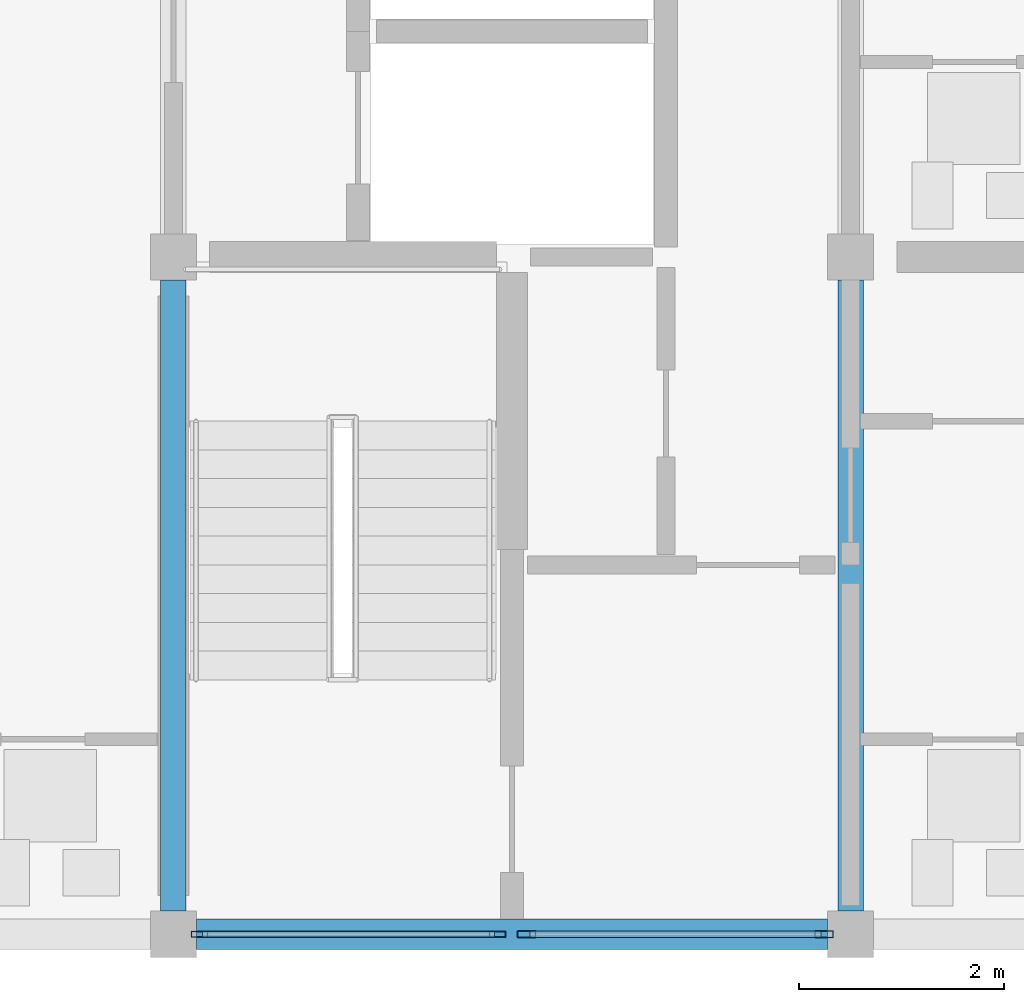
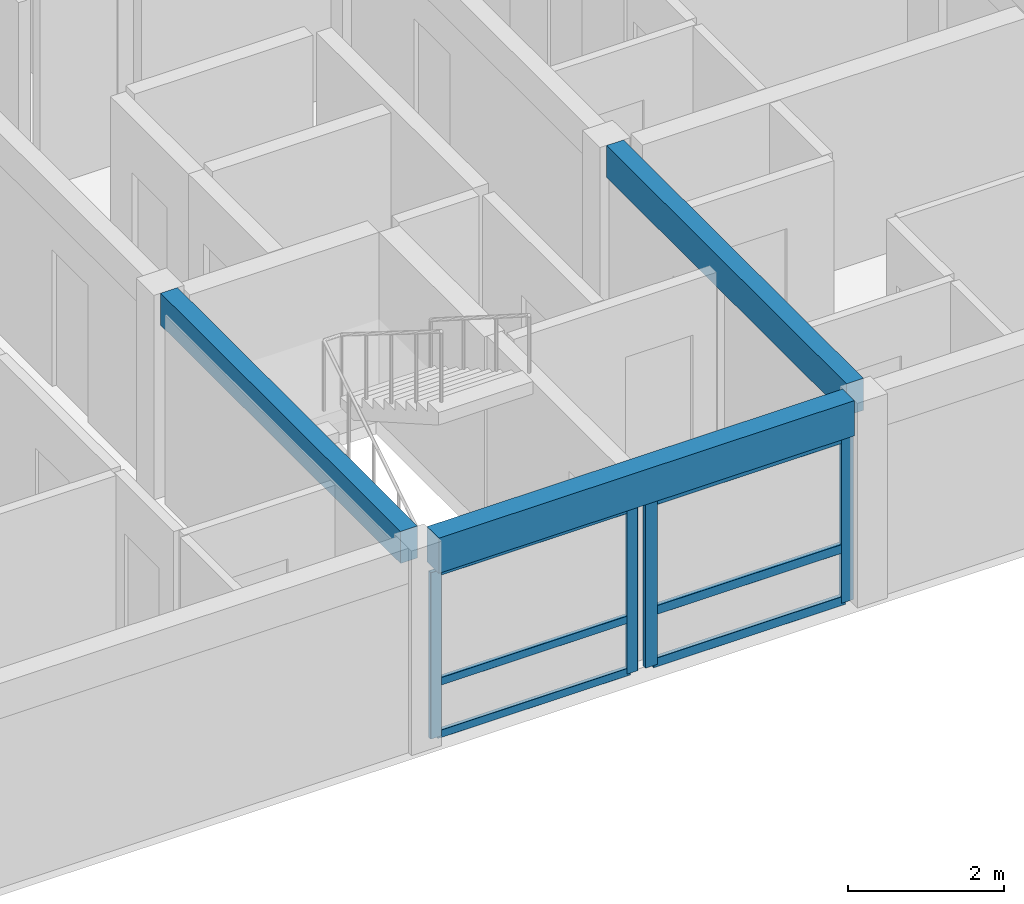
# One storey, part 12 of 45: 10 members, 3 beams, 2 elements without a shape of their own.
"""IFC4 building model written with IfcOpenShell, lengths in metres."""

import ifcopenshell
import ifcopenshell.guid

model = None  # the IFC model being written
_history = None  # IfcOwnerHistory: only IFC2X3 demands one
_inside = {}  # id of a spatial element -> (the spatial element, [elements in it])
_under = {}  # id of a project, library or spatial element -> (it, [spatial elements below it])
_declared = {}  # id of a project -> (the project, [libraries it declares])
_typed = {}  # id of a type object -> (the type object, [elements of that type])
_made_of = {}  # id of a material, layer set ... -> (it, [elements and type objects made of it])


def new_model(schema):
    """Start an empty IFC model of exactly this schema.

    Asked for "IFC4X3", IfcOpenShell would pick the latest addendum, in which some entities
    have other attributes; the version numbers below select the first issue.
    IFC2X3 requires an IfcOwnerHistory on every rooted entity: one is made here for all.
    """
    global model, _history
    if schema == "IFC4X3":
        model = ifcopenshell.file(schema_version=(4, 3, 0, 0))
    else:
        model = ifcopenshell.file(schema=schema)
    _inside.clear()
    _under.clear()
    _declared.clear()
    _typed.clear()
    _made_of.clear()
    _history = None
    if model.schema == "IFC2X3":
        org = make("IfcOrganization", Name="unknown")
        user = make(
            "IfcPersonAndOrganization",
            ThePerson=make("IfcPerson", FamilyName="unknown"),
            TheOrganization=org,
        )
        app = make(
            "IfcApplication",
            ApplicationDeveloper=org,
            Version="unknown",
            ApplicationFullName="unknown",
            ApplicationIdentifier="unknown",
        )
        _history = make(
            "IfcOwnerHistory",
            OwningUser=user,
            OwningApplication=app,
            ChangeAction="ADDED",
            CreationDate=0,
        )
    return model


def make(cls, **values):
    """One entity of the class cls with the attributes given. An attribute that is None is left unset."""
    return model.create_entity(
        cls, **{name: value for name, value in values.items() if value is not None}
    )


def rooted(cls, **values):
    """An entity with a GlobalId (a new one), such as an element, a storey or a relation."""
    return make(cls, GlobalId=ifcopenshell.guid.new(), OwnerHistory=_history, **values)


def si_unit(unit_type, name, prefix=None):
    """IfcSIUnit, for example si_unit("LENGTHUNIT", "METRE", prefix="MILLI")."""
    return make("IfcSIUnit", UnitType=unit_type, Prefix=prefix, Name=name)


def assignment(units):
    """IfcUnitAssignment: the units of a project."""
    return None if units is None else make("IfcUnitAssignment", Units=units)


def point(xyz):
    """IfcCartesianPoint."""
    return None if xyz is None else make("IfcCartesianPoint", Coordinates=xyz)


def direction(xyz):
    """IfcDirection."""
    return None if xyz is None else make("IfcDirection", DirectionRatios=xyz)


def frame(location, z_axis=None, x_axis=None):
    """IfcAxis2Placement3D, a coordinate frame: its origin and axes. An axis left out is left unset."""
    return make(
        "IfcAxis2Placement3D",
        Location=point(location),
        Axis=direction(z_axis),
        RefDirection=direction(x_axis),
    )


def frame_2d(location, x_axis=None):
    """IfcAxis2Placement2D, a coordinate frame in the plane: its origin and x axis."""
    return make(
        "IfcAxis2Placement2D", Location=point(location), RefDirection=direction(x_axis)
    )


def origin():
    """The frame at (0, 0, 0) with its axes left unset."""
    return frame((0.0, 0.0, 0.0))


def origin_2d():
    """The frame at (0, 0) in the plane with its x axis left unset."""
    return frame_2d((0.0, 0.0))


def place(relative_to, where):
    """IfcLocalPlacement: puts the frame where relative to a parent placement (None: the world)."""
    return make(
        "IfcLocalPlacement", PlacementRelTo=relative_to, RelativePlacement=where
    )


def context(
    kind, dimensions, precision=None, world=None, true_north=None, identifier=None
):
    """IfcGeometricRepresentationContext, for example the 3D "Model" context."""
    return make(
        "IfcGeometricRepresentationContext",
        ContextIdentifier=identifier,
        ContextType=kind,
        CoordinateSpaceDimension=dimensions,
        Precision=precision,
        WorldCoordinateSystem=world,
        TrueNorth=true_north,
    )


def subcontext(parent, identifier, kind, view, scale=None):
    """IfcGeometricRepresentationSubContext, for example "Body" below "Model"."""
    return make(
        "IfcGeometricRepresentationSubContext",
        ContextIdentifier=identifier,
        ContextType=kind,
        ParentContext=parent,
        TargetScale=scale,
        TargetView=view,
    )


def project(units=None, contexts=None):
    """IfcProject with its units and contexts."""
    return rooted(
        "IfcProject",
        Name="project",
        RepresentationContexts=contexts,
        UnitsInContext=assignment(units),
    )


def spatial(cls, under=None, at=None, **own):
    """A site, building, storey or space (cls), placed at a placement, below another one or the project."""
    s = rooted(cls, ObjectPlacement=at, **own)
    if under is not None:
        _under.setdefault(under.id(), (under, []))[1].append(s)
    return s


def profile(cls, at=None, kind="AREA", **sizes):
    """A parametric profile (cls). Its sizes go by their IFC names, for example OverallWidth=200.0."""
    return make(cls, ProfileType=kind, Position=at, **sizes)


def rectangle(**sizes):
    """IfcRectangleProfileDef."""
    return profile("IfcRectangleProfileDef", **sizes)


def hollow_rectangle(**sizes):
    """IfcRectangleHollowProfileDef."""
    return profile("IfcRectangleHollowProfileDef", **sizes)


def extrude(swept, where, along, depth):
    """IfcExtrudedAreaSolid: the profile swept, set in the frame where, extruded along a direction by depth."""
    return make(
        "IfcExtrudedAreaSolid",
        SweptArea=swept,
        Position=where,
        ExtrudedDirection=direction(along),
        Depth=depth,
    )


def shape(context_of_items, identifier, shape_type, items):
    """IfcShapeRepresentation: the items that make up one representation, for example the "Body"."""
    return make(
        "IfcShapeRepresentation",
        ContextOfItems=context_of_items,
        RepresentationIdentifier=identifier,
        RepresentationType=shape_type,
        Items=items,
    )


def material(Name=None, Category=None):
    """IfcMaterial."""
    return make("IfcMaterial", Name=Name, Category=Category)


def material_profile(
    of_material, cross_section, Name=None, Category=None, Priority=None
):
    """IfcMaterialProfile: a cross section and its material."""
    return make(
        "IfcMaterialProfile",
        Name=Name,
        Material=of_material,
        Profile=cross_section,
        Priority=Priority,
        Category=Category,
    )


def profile_set(profiles, Name=None, composite=None):
    """IfcMaterialProfileSet."""
    return make(
        "IfcMaterialProfileSet",
        Name=Name,
        MaterialProfiles=profiles,
        CompositeProfile=composite,
    )


def made_of(thing, what):
    """Note that an element or type object is made of a material, layer set ...; save() writes the relation."""
    if what is not None:
        _made_of.setdefault(what.id(), (what, []))[1].append(thing)
    return thing


def type_object(cls, material=None, **own):
    """A type object (cls), such as IfcWallType, which elements share."""
    return made_of(rooted(cls, **own), material)


def element(
    cls,
    number,
    at=None,
    inside=None,
    cuts=None,
    type_object=None,
    material=None,
    context=None,
    identifier="Body",
    shape_type=None,
    held_by="IfcProductDefinitionShape",
    body=None,
    shapes=None,
    **own,
):
    """One element of the class cls, such as IfcWall. Its Tag is "e" and its number.

    at: its placement. inside: the storey or other place that contains it. cuts: it is an
    opening in that element (IfcRelVoidsElement). A single representation is given by context,
    identifier, shape_type and body (its items); several are given by shapes. held_by: the class
    of the entity that holds the representations. save() writes the other relations.
    """
    e = rooted(cls, Tag="e%d" % number, ObjectPlacement=at, **own)
    if body is not None:
        shapes = [shape(context, identifier, shape_type, body)]
    if shapes is not None:
        e.Representation = make(held_by, Representations=shapes)
    if inside is not None:
        _inside.setdefault(inside.id(), (inside, []))[1].append(e)
    if cuts is not None:
        rooted(
            "IfcRelVoidsElement", RelatingBuildingElement=cuts, RelatedOpeningElement=e
        )
    if type_object is not None:
        _typed.setdefault(type_object.id(), (type_object, []))[1].append(e)
    return made_of(e, material)


def aggregate(whole, parts):
    """IfcRelAggregates: a whole, such as a stair, and the parts it consists of."""
    return rooted("IfcRelAggregates", RelatingObject=whole, RelatedObjects=parts)


def save(model, path):
    """Write the relations noted so far, then the file.

    IfcRelAggregates (storeys below a building ...), IfcRelContainedInSpatialStructure (elements
    in a storey), IfcRelDefinesByType, IfcRelAssociatesMaterial and IfcRelDeclares: one each for
    every whole, place, type object, material and project.
    """
    for whole, parts in _under.values():
        aggregate(whole, parts)
    for where, things in _inside.values():
        rooted(
            "IfcRelContainedInSpatialStructure",
            RelatedElements=things,
            RelatingStructure=where,
        )
    for kind, things in _typed.values():
        rooted("IfcRelDefinesByType", RelatedObjects=things, RelatingType=kind)
    for what, things in _made_of.values():
        rooted("IfcRelAssociatesMaterial", RelatedObjects=things, RelatingMaterial=what)
    for by, libraries in _declared.values():
        rooted("IfcRelDeclares", RelatingContext=by, RelatedDefinitions=libraries)
    model.write(path)


model = new_model("IFC4")

# Units and contexts
model_context = context("Model", 3, precision=1e-05, world=origin(), true_north=direction((0.0, 1.0)))
body_context = subcontext(model_context, "Body", "Model", "MODEL_VIEW")
ifc_project = project(units=[si_unit("LENGTHUNIT", "METRE"), si_unit("AREAUNIT", "SQUARE_METRE"), si_unit("VOLUMEUNIT", "CUBIC_METRE"), si_unit("PLANEANGLEUNIT", "RADIAN"), si_unit("MASSUNIT", "GRAM", prefix="KILO")], contexts=[model_context])

# Site, building, storey
site_placement = place(None, origin())
site = spatial("IfcSite", under=ifc_project, at=site_placement, CompositionType="ELEMENT")
building_placement = place(site_placement, origin())
building = spatial("IfcBuilding", under=site, at=building_placement, Name="Kernevlak Ridge Housing Community", CompositionType="ELEMENT")
storey_placement = place(building_placement, frame((0.0, 0.0, 14.800048828125)))
storey = spatial("IfcBuildingStorey", under=building, at=storey_placement, Name="L04", CompositionType="ELEMENT", Elevation=14.800048828125)

# Beams
ifc_material_1 = material(Name="Concrete C35/45", Category="concrete")
ifc_material_profile_1 = material_profile(ifc_material_1, rectangle(XDim=0.25, YDim=0.5, at=origin_2d()), Name="RC 250x500")
ifc_profile_set_1 = profile_set([ifc_material_profile_1], Name="Concrete C35/45")
beam_type_1 = type_object("IfcBeamType", Name="B-06", PredefinedType="T_BEAM", material=ifc_profile_set_1)
for number, where, z_axis, x_axis, name in (
    (1, (132.60009765625, 15.824951171875, 2.949951171875), (0.0, 1.0, 0.0), (-1.0, 0.0, 0.0), "Beam B-06 L04 1094"),
    (2, (139.199951171875, 15.824951171875, 2.949951171875), (0.0, 1.0, 0.0), (-1.0, 0.0, 0.0), "Beam B-06 L04 1098"),
):
    element("IfcBeam", number, at=place(storey_placement, frame(where, z_axis=z_axis, x_axis=x_axis)), inside=storey, type_object=beam_type_1, Name=name, PredefinedType="T_BEAM", context=body_context, shape_type="SweptSolid", body=[
        extrude(rectangle(XDim=0.25, YDim=0.5, at=origin_2d()), origin(), (0.0, 0.0, 1.0), 6.150146484375),
    ])

# Curtain wall, members
ifc_material_2 = material(Name="Aluminium EN AW-6060 anodised and laminated glass", Category="aluminium")
curtain_wall_type_1 = type_object("IfcCurtainWallType", Name="CW-07", PredefinedType="NOTDEFINED", material=ifc_material_2)
curtain_wall_1_placement = place(storey_placement, origin())
curtain_wall_1 = element("IfcCurtainWall", 3, at=curtain_wall_1_placement, inside=storey, type_object=curtain_wall_type_1, Name="Curtain wall CW-07 CW-L04-112", PredefinedType="NOTDEFINED")
ifc_material_3 = material(Name="Aluminium EN AW-6060 anodised", Category="aluminium")
ifc_material_profile_2 = material_profile(ifc_material_3, hollow_rectangle(XDim=0.06005859375, YDim=0.159912109375, WallThickness=0.00390625, InnerFilletRadius=0.001953125, OuterFilletRadius=0.00390625, at=origin_2d()), Name="ALU 60x160x4")
ifc_profile_set_2 = profile_set([ifc_material_profile_2], Name="Aluminium EN AW-6060 anodised")
member_type_1 = type_object("IfcMemberType", Name="MU-02", PredefinedType="MULLION", material=ifc_profile_set_2)
member_1_placement = place(storey_placement, frame((132.85498046875, 15.60009765625, 0.0), z_axis=(0.0, 0.0, 1.0), x_axis=(0.0, 1.0, 0.0)))
member_1 = element("IfcMember", 4, at=member_1_placement, type_object=member_type_1, Name="CW-07 mullion 1", PredefinedType="MULLION", context=body_context, shape_type="SweptSolid", body=[
    extrude(hollow_rectangle(XDim=0.06005859375, YDim=0.159912109375, WallThickness=0.00390625, InnerFilletRadius=0.001953125, OuterFilletRadius=0.00390625, at=origin_2d()), origin(), (0.0, 0.0, 1.0), 2.599853515625),
])
member_2_placement = place(storey_placement, frame((135.760009765625, 15.60009765625, 0.0), z_axis=(0.0, 0.0, 1.0), x_axis=(0.0, 1.0, 0.0)))
member_2 = element("IfcMember", 5, at=member_2_placement, type_object=member_type_1, Name="CW-07 mullion 2", PredefinedType="MULLION", context=body_context, shape_type="SweptSolid", body=[
    extrude(hollow_rectangle(XDim=0.06005859375, YDim=0.159912109375, WallThickness=0.00390625, InnerFilletRadius=0.001953125, OuterFilletRadius=0.00390625, at=origin_2d()), origin(), (0.0, 0.0, 1.0), 2.599853515625),
])

curtain_wall_type_2 = type_object("IfcCurtainWallType", Name="CW-14", PredefinedType="NOTDEFINED", material=ifc_material_2)
curtain_wall_2_placement = place(storey_placement, origin())
curtain_wall_2 = element("IfcCurtainWall", 6, at=curtain_wall_2_placement, inside=storey, type_object=curtain_wall_type_2, Name="Curtain wall CW-14 CW-L04-113", PredefinedType="NOTDEFINED")
ifc_material_profile_3 = material_profile(ifc_material_3, hollow_rectangle(XDim=0.06494140625, YDim=0.179931640625, WallThickness=0.00439453125, InnerFilletRadius=0.001953125, OuterFilletRadius=0.00439453125, at=origin_2d()), Name="ALU 65x180x4.5")
ifc_profile_set_3 = profile_set([ifc_material_profile_3], Name="Aluminium EN AW-6060 anodised")
member_type_2 = type_object("IfcMemberType", Name="MU-03", PredefinedType="MULLION", material=ifc_profile_set_3)
member_3_placement = place(storey_placement, frame((136.04248046875, 15.60009765625, 0.0), z_axis=(0.0, 0.0, 1.0), x_axis=(0.0, 1.0, 0.0)))
member_3 = element("IfcMember", 7, at=member_3_placement, type_object=member_type_2, Name="CW-14 mullion 1", PredefinedType="MULLION", context=body_context, shape_type="SweptSolid", body=[
    extrude(hollow_rectangle(XDim=0.06494140625, YDim=0.179931640625, WallThickness=0.00439453125, InnerFilletRadius=0.001953125, OuterFilletRadius=0.00439453125, at=origin_2d()), origin(), (0.0, 0.0, 1.0), 2.599853515625),
])
member_4_placement = place(storey_placement, frame((138.9423828125, 15.60009765625, 0.0), z_axis=(0.0, 0.0, 1.0), x_axis=(0.0, 1.0, 0.0)))
member_4 = element("IfcMember", 8, at=member_4_placement, type_object=member_type_2, Name="CW-14 mullion 2", PredefinedType="MULLION", context=body_context, shape_type="SweptSolid", body=[
    extrude(hollow_rectangle(XDim=0.06494140625, YDim=0.179931640625, WallThickness=0.00439453125, InnerFilletRadius=0.001953125, OuterFilletRadius=0.00439453125, at=origin_2d()), origin(), (0.0, 0.0, 1.0), 2.599853515625),
])

# Beam
ifc_material_profile_4 = material_profile(ifc_material_1, rectangle(XDim=0.300048828125, YDim=0.550048828125, at=origin_2d()), Name="RC 300x550")
ifc_profile_set_4 = profile_set([ifc_material_profile_4], Name="Concrete C35/45")
beam_type_2 = type_object("IfcBeamType", Name="SP-01", PredefinedType="SPANDREL", material=ifc_profile_set_4)
beam_placement = place(storey_placement, frame((132.824951171875, 15.60009765625, 2.925048828125), z_axis=(1.0, 0.0, 0.0), x_axis=(0.0, 1.0, 0.0)))
element("IfcBeam", 9, at=beam_placement, inside=storey, type_object=beam_type_2, Name="Beam SP-01 L04 1107", PredefinedType="SPANDREL", context=body_context, shape_type="SweptSolid", body=[
    extrude(rectangle(XDim=0.300048828125, YDim=0.550048828125, at=origin_2d()), origin(), (0.0, 0.0, 1.0), 6.150146484375),
])

# Member
ifc_material_profile_5 = material_profile(ifc_material_3, hollow_rectangle(XDim=0.06005859375, YDim=0.1201171875, WallThickness=0.00390625, InnerFilletRadius=0.001953125, OuterFilletRadius=0.00390625, at=origin_2d()), Name="ALU 60x120x4")
ifc_profile_set_5 = profile_set([ifc_material_profile_5], Name="Aluminium EN AW-6060 anodised")
member_type_3 = type_object("IfcMemberType", Name="TM-02", PredefinedType="USERDEFINED", material=ifc_profile_set_5)
member_5_placement = place(storey_placement, frame((132.885009765625, 15.60009765625, 0.030029296875), z_axis=(1.0, 0.0, 0.0), x_axis=(0.0, 1.0, 0.0)))
member_5 = element("IfcMember", 10, at=member_5_placement, type_object=member_type_3, Name="CW-07 transom 1.1", ObjectType="TRANSOM", PredefinedType="USERDEFINED", context=body_context, shape_type="SweptSolid", body=[
    extrude(hollow_rectangle(XDim=0.06005859375, YDim=0.1201171875, WallThickness=0.00390625, InnerFilletRadius=0.001953125, OuterFilletRadius=0.00390625, at=origin_2d()), origin(), (0.0, 0.0, 1.0), 2.844970703125),
])

member_6_placement = place(storey_placement, frame((132.885009765625, 15.60009765625, 0.849853515625), z_axis=(1.0, 0.0, 0.0), x_axis=(0.0, 1.0, 0.0)))
member_6 = element("IfcMember", 11, at=member_6_placement, type_object=member_type_3, Name="CW-07 transom 1.2", ObjectType="TRANSOM", PredefinedType="USERDEFINED", context=body_context, shape_type="SweptSolid", body=[
    extrude(hollow_rectangle(XDim=0.06005859375, YDim=0.1201171875, WallThickness=0.00390625, InnerFilletRadius=0.001953125, OuterFilletRadius=0.00390625, at=origin_2d()), origin(), (0.0, 0.0, 1.0), 2.844970703125),
])

member_7_placement = place(storey_placement, frame((132.885009765625, 15.60009765625, 2.570068359375), z_axis=(1.0, 0.0, 0.0), x_axis=(0.0, 1.0, 0.0)))
member_7 = element("IfcMember", 12, at=member_7_placement, type_object=member_type_3, Name="CW-07 transom 1.3", ObjectType="TRANSOM", PredefinedType="USERDEFINED", context=body_context, shape_type="SweptSolid", body=[
    extrude(hollow_rectangle(XDim=0.06005859375, YDim=0.1201171875, WallThickness=0.00390625, InnerFilletRadius=0.001953125, OuterFilletRadius=0.00390625, at=origin_2d()), origin(), (0.0, 0.0, 1.0), 2.844970703125),
])

aggregate(curtain_wall_1, [member_1, member_2, member_5, member_6, member_7])

ifc_material_profile_6 = material_profile(ifc_material_3, hollow_rectangle(XDim=0.06494140625, YDim=0.139892578125, WallThickness=0.00390625, InnerFilletRadius=0.001953125, OuterFilletRadius=0.00390625, at=origin_2d()), Name="ALU 65x140x4")
ifc_profile_set_6 = profile_set([ifc_material_profile_6], Name="Aluminium EN AW-6060 anodised")
member_type_4 = type_object("IfcMemberType", Name="TM-03", PredefinedType="USERDEFINED", material=ifc_profile_set_6)
member_8_placement = place(storey_placement, frame((136.074951171875, 15.60009765625, 0.032470703125), z_axis=(1.0, 0.0, 0.0), x_axis=(0.0, 1.0, 0.0)))
member_8 = element("IfcMember", 13, at=member_8_placement, type_object=member_type_4, Name="CW-14 transom 1.1", ObjectType="TRANSOM", PredefinedType="USERDEFINED", context=body_context, shape_type="SweptSolid", body=[
    extrude(hollow_rectangle(XDim=0.06494140625, YDim=0.139892578125, WallThickness=0.00390625, InnerFilletRadius=0.001953125, OuterFilletRadius=0.00390625, at=origin_2d()), origin(), (0.0, 0.0, 1.0), 2.8349609375),
])

member_9_placement = place(storey_placement, frame((136.074951171875, 15.60009765625, 0.849853515625), z_axis=(1.0, 0.0, 0.0), x_axis=(0.0, 1.0, 0.0)))
member_9 = element("IfcMember", 14, at=member_9_placement, type_object=member_type_4, Name="CW-14 transom 1.2", ObjectType="TRANSOM", PredefinedType="USERDEFINED", context=body_context, shape_type="SweptSolid", body=[
    extrude(hollow_rectangle(XDim=0.06494140625, YDim=0.139892578125, WallThickness=0.00390625, InnerFilletRadius=0.001953125, OuterFilletRadius=0.00390625, at=origin_2d()), origin(), (0.0, 0.0, 1.0), 2.8349609375),
])

member_10_placement = place(storey_placement, frame((136.074951171875, 15.60009765625, 2.5673828125), z_axis=(1.0, 0.0, 0.0), x_axis=(0.0, 1.0, 0.0)))
member_10 = element("IfcMember", 15, at=member_10_placement, type_object=member_type_4, Name="CW-14 transom 1.3", ObjectType="TRANSOM", PredefinedType="USERDEFINED", context=body_context, shape_type="SweptSolid", body=[
    extrude(hollow_rectangle(XDim=0.06494140625, YDim=0.139892578125, WallThickness=0.00390625, InnerFilletRadius=0.001953125, OuterFilletRadius=0.00390625, at=origin_2d()), origin(), (0.0, 0.0, 1.0), 2.8349609375),
])

aggregate(curtain_wall_2, [member_3, member_4, member_8, member_9, member_10])

save(model, "model.ifc")
